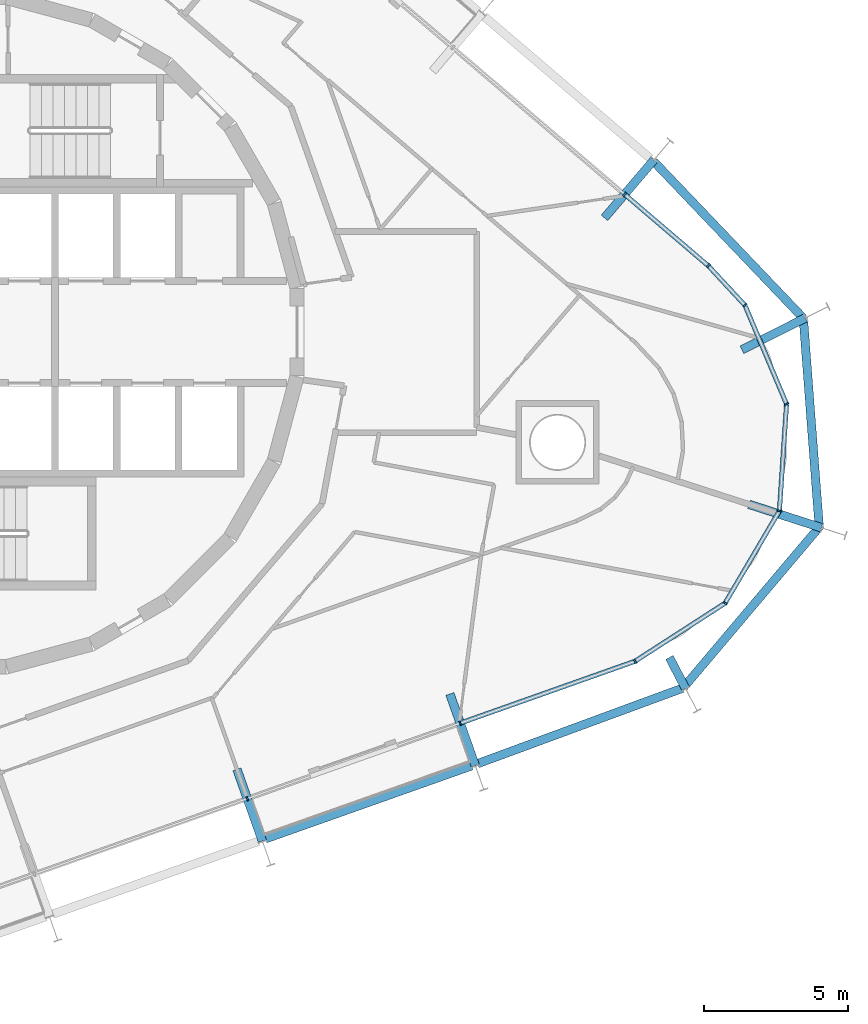
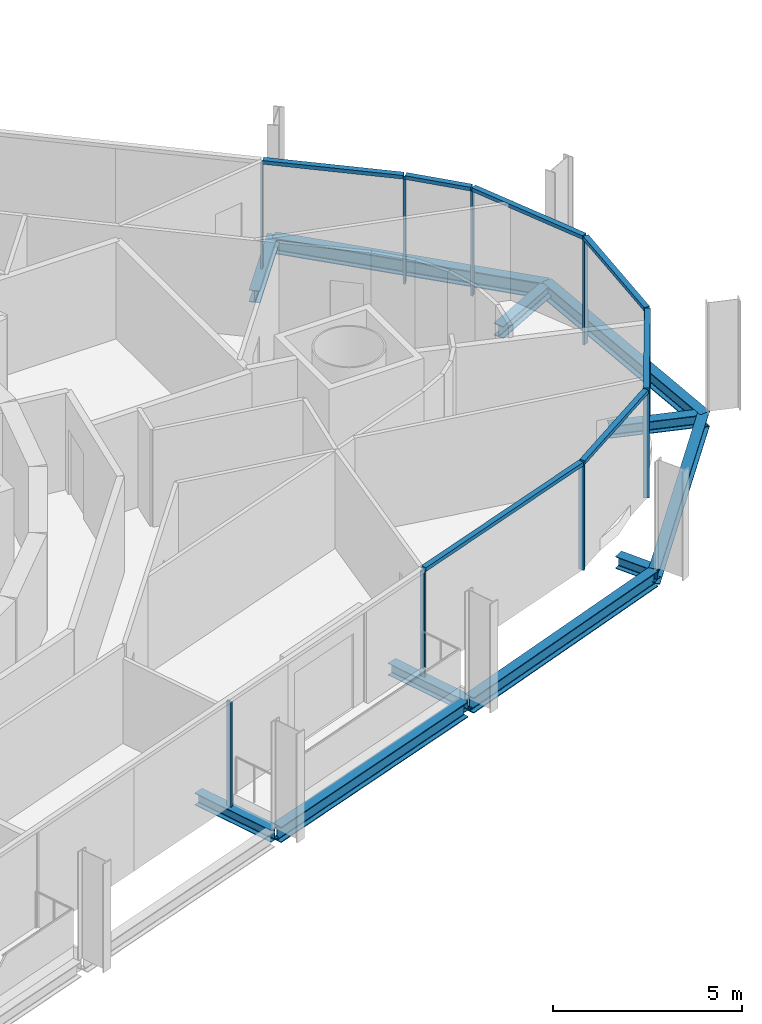
# One storey, part 5 of 17: 16 members, 11 beams, 3 elements without a shape of their own.
"""IFC4 building model written with IfcOpenShell, lengths in metres."""

from ifc_helpers import new_model, si_unit, direction, frame, origin, origin_2d, place, context, subcontext, project, spatial, rectangle, i_section, extrude, material, layer, layer_set, material_profile, profile_set, type_object, element, aggregate, save


model = new_model("IFC4")

# Units and contexts
model_context = context("Model", 3, precision=1e-05, world=origin(), true_north=direction((0.0, 1.0)))
body_context = subcontext(model_context, "Body", "Model", "MODEL_VIEW")
ifc_project = project(units=[si_unit("LENGTHUNIT", "METRE"), si_unit("AREAUNIT", "SQUARE_METRE"), si_unit("VOLUMEUNIT", "CUBIC_METRE"), si_unit("PLANEANGLEUNIT", "RADIAN"), si_unit("MASSUNIT", "GRAM", prefix="KILO")], contexts=[model_context])

# Site, building, storey
site_placement = place(None, origin())
site = spatial("IfcSite", under=ifc_project, at=site_placement, CompositionType="ELEMENT")
building_placement = place(site_placement, origin())
building = spatial("IfcBuilding", under=site, at=building_placement, Name="Spindle Arch Residences", CompositionType="ELEMENT")
storey_placement = place(building_placement, frame((0.0, 0.0, 172.699951171875)))
storey = spatial("IfcBuildingStorey", under=building, at=storey_placement, Name="L43", CompositionType="ELEMENT", Elevation=172.699951171875)

# Curtain wall, members
ifc_material_1 = material(Name="Aluminium bronze unitised frame with tinted glass", Category="aluminium")
ifc_layer_1 = layer(ifc_material_1, 0.159912109375)
ifc_layer_set_1 = layer_set([ifc_layer_1], Name="CW-D corner wall on the fillet arcs")
curtain_wall_type_1 = type_object("IfcCurtainWallType", Name="CW-D corner wall on the fillet arcs", PredefinedType="NOTDEFINED", material=ifc_layer_set_1)
curtain_wall_1_placement = place(storey_placement, origin())
curtain_wall_1 = element("IfcCurtainWall", 1, at=curtain_wall_1_placement, inside=storey, type_object=curtain_wall_type_1, Name="CW-D L43 run 1", PredefinedType="NOTDEFINED")
ifc_material_2 = material(Name="Aluminium bronze anodised mullion", Category="aluminium")
ifc_material_profile_1 = material_profile(ifc_material_2, rectangle(XDim=0.159912109375, YDim=0.06005859375, at=origin_2d()), Name="MU 60x160")
ifc_profile_set_1 = profile_set([ifc_material_profile_1], Name="Aluminium bronze anodised mullion")
member_type_1 = type_object("IfcMemberType", Name="Bronze mullion 60x160", PredefinedType="MULLION", material=ifc_profile_set_1)
member_1_placement = place(storey_placement, frame((17.326904296875, -13.609619140625, -0.3798828125), z_axis=(0.0, 0.0, 1.0), x_axis=(-0.333806859234, 0.942641491092, 0.0)))
member_1 = element("IfcMember", 2, at=member_1_placement, type_object=member_type_1, Name="CW-D mullion 00", PredefinedType="MULLION", context=body_context, shape_type="SweptSolid", body=[
    extrude(rectangle(XDim=0.159912109375, YDim=0.06005859375, at=origin_2d()), origin(), (0.0, 0.0, 1.0), 3.3798828125),
])
member_2_placement = place(storey_placement, frame((23.410400390625, -11.45556640625, -0.3798828125), z_axis=(0.0, 0.0, 1.0), x_axis=(-0.542197137778, 0.840251309898, 0.0)))
member_2 = element("IfcMember", 3, at=member_2_placement, type_object=member_type_1, Name="CW-D mullion 01", PredefinedType="MULLION", context=body_context, shape_type="SweptSolid", body=[
    extrude(rectangle(XDim=0.159912109375, YDim=0.06005859375, at=origin_2d()), origin(), (0.0, 0.0, 1.0), 3.3798828125),
])
member_3_placement = place(storey_placement, frame((26.541748046875, -9.434814453125, -0.3798828125), z_axis=(0.0, 0.0, 1.0), x_axis=(-0.86162915882, 0.507538365713, 0.0)))
member_3 = element("IfcMember", 4, at=member_3_placement, type_object=member_type_1, Name="CW-D mullion 02", PredefinedType="MULLION", context=body_context, shape_type="SweptSolid", body=[
    extrude(rectangle(XDim=0.159912109375, YDim=0.06005859375, at=origin_2d()), origin(), (0.0, 0.0, 1.0), 3.3798828125),
])
member_4_placement = place(storey_placement, frame((28.43310546875, -6.223876953125, -0.3798828125), z_axis=(0.0, 0.0, 1.0), x_axis=(-0.997762742461, 0.066854392204, 0.0)))
member_4 = element("IfcMember", 5, at=member_4_placement, type_object=member_type_1, Name="CW-D mullion 03", PredefinedType="MULLION", context=body_context, shape_type="SweptSolid", body=[
    extrude(rectangle(XDim=0.159912109375, YDim=0.06005859375, at=origin_2d()), origin(), (0.0, 0.0, 1.0), 3.3798828125),
])
member_5_placement = place(storey_placement, frame((28.682373046875, -2.50537109375, -0.3798828125), z_axis=(0.0, 0.0, 1.0), x_axis=(-0.921637549195, -0.388051836633, 0.0)))
member_5 = element("IfcMember", 6, at=member_5_placement, type_object=member_type_1, Name="CW-D mullion 04", PredefinedType="MULLION", context=body_context, shape_type="SweptSolid", body=[
    extrude(rectangle(XDim=0.159912109375, YDim=0.06005859375, at=origin_2d()), origin(), (0.0, 0.0, 1.0), 3.3798828125),
])
member_6_placement = place(storey_placement, frame((27.236083984375, 0.929443359375, -0.3798828125), z_axis=(0.0, 0.0, 1.0), x_axis=(-0.733334455983, -0.679868057543, 0.0)))
member_6 = element("IfcMember", 7, at=member_6_placement, type_object=member_type_1, Name="CW-D mullion 05", PredefinedType="MULLION", context=body_context, shape_type="SweptSolid", body=[
    extrude(rectangle(XDim=0.159912109375, YDim=0.06005859375, at=origin_2d()), origin(), (0.0, 0.0, 1.0), 3.3798828125),
])
member_7_placement = place(storey_placement, frame((25.960693359375, 2.30517578125, -0.3798828125), z_axis=(0.0, 0.0, 1.0), x_axis=(-0.64944804833, -0.7604059656, 0.0)))
member_7 = element("IfcMember", 8, at=member_7_placement, type_object=member_type_1, Name="CW-D mullion 06", PredefinedType="MULLION", context=body_context, shape_type="SweptSolid", body=[
    extrude(rectangle(XDim=0.159912109375, YDim=0.06005859375, at=origin_2d()), origin(), (0.0, 0.0, 1.0), 3.3798828125),
])

# Curtain wall, member
ifc_material_3 = material(Name="Aluminium bronze unitised frame with tinted glass", Category="aluminium")
ifc_layer_2 = layer(ifc_material_3, 0.159912109375)
ifc_layer_set_2 = layer_set([ifc_layer_2], Name="CW-C typical residential unitised wall")
curtain_wall_type_2 = type_object("IfcCurtainWallType", Name="CW-C typical residential unitised wall", PredefinedType="NOTDEFINED", material=ifc_layer_set_2)
curtain_wall_2_placement = place(storey_placement, origin())
curtain_wall_2 = element("IfcCurtainWall", 9, at=curtain_wall_2_placement, inside=storey, type_object=curtain_wall_type_2, Name="CW-C L43 run 2", PredefinedType="NOTDEFINED")
member_8_placement = place(storey_placement, frame((23.045654296875, 4.794677734375, -0.3798828125), z_axis=(0.0, 0.0, 1.0), x_axis=(-0.64944804833, -0.7604059656, 0.0)))
member_8 = element("IfcMember", 10, at=member_8_placement, type_object=member_type_1, Name="CW-C mullion 05", PredefinedType="MULLION", context=body_context, shape_type="SweptSolid", body=[
    extrude(rectangle(XDim=0.159912109375, YDim=0.06005859375, at=origin_2d()), origin(), (0.0, 0.0, 1.0), 3.3798828125),
])
aggregate(curtain_wall_2, [member_8])

curtain_wall_3_placement = place(storey_placement, origin())
curtain_wall_3 = element("IfcCurtainWall", 11, at=curtain_wall_3_placement, inside=storey, type_object=curtain_wall_type_2, Name="CW-C L43 run 6", PredefinedType="NOTDEFINED")
member_9_placement = place(storey_placement, frame((9.917724609375, -16.2333984375, -0.3798828125), z_axis=(0.0, 0.0, 1.0), x_axis=(-0.333806859234, 0.942641491092, 0.0)))
member_9 = element("IfcMember", 12, at=member_9_placement, type_object=member_type_1, Name="CW-C mullion 00", PredefinedType="MULLION", context=body_context, shape_type="SweptSolid", body=[
    extrude(rectangle(XDim=0.159912109375, YDim=0.06005859375, at=origin_2d()), origin(), (0.0, 0.0, 1.0), 3.3798828125),
])
aggregate(curtain_wall_3, [member_9])

# Member
ifc_material_4 = material(Name="Aluminium bronze anodised transom", Category="aluminium")
ifc_material_profile_2 = material_profile(ifc_material_4, rectangle(XDim=0.159912109375, YDim=0.1201171875, at=origin_2d()), Name="TR 120x160")
ifc_profile_set_2 = profile_set([ifc_material_profile_2], Name="Aluminium bronze anodised transom")
member_type_2 = type_object("IfcMemberType", Name="Bronze transom 120x160", PredefinedType="USERDEFINED", material=ifc_profile_set_2)
member_10_placement = place(storey_placement, frame((17.355224609375, -13.599609375, 3.06005859375), z_axis=(0.94265075566, 0.333780695748, 0.0), x_axis=(-0.333780695748, 0.94265075566, 0.0)))
member_10 = element("IfcMember", 13, at=member_10_placement, type_object=member_type_2, Name="CW-D transom 00", ObjectType="TRANSOM", PredefinedType="USERDEFINED", context=body_context, shape_type="SweptSolid", body=[
    extrude(rectangle(XDim=0.159912109375, YDim=0.1201171875, at=origin_2d()), origin(), (0.0, 0.0, 1.0), 6.3935546875),
])

member_11_placement = place(storey_placement, frame((23.435546875, -11.439208984375, 3.06005859375), z_axis=(0.840264358641, 0.542176915405, 0.0), x_axis=(-0.542176915405, 0.840264358641, 0.0)))
member_11 = element("IfcMember", 14, at=member_11_placement, type_object=member_type_2, Name="CW-D transom 01", ObjectType="TRANSOM", PredefinedType="USERDEFINED", context=body_context, shape_type="SweptSolid", body=[
    extrude(rectangle(XDim=0.159912109375, YDim=0.1201171875, at=origin_2d()), origin(), (0.0, 0.0, 1.0), 3.666748046875),
])

member_12_placement = place(storey_placement, frame((26.556884765625, -9.408935546875, 3.06005859375), z_axis=(0.507546689055, 0.861624255943, 0.0), x_axis=(-0.861624255943, 0.507546689055, 0.0)))
member_12 = element("IfcMember", 15, at=member_12_placement, type_object=member_type_2, Name="CW-D transom 02", ObjectType="TRANSOM", PredefinedType="USERDEFINED", context=body_context, shape_type="SweptSolid", body=[
    extrude(rectangle(XDim=0.159912109375, YDim=0.1201171875, at=origin_2d()), origin(), (0.0, 0.0, 1.0), 3.666748046875),
])

member_13_placement = place(storey_placement, frame((28.43505859375, -6.19384765625, 3.06005859375), z_axis=(0.066916740455, 0.997758562903, 0.0), x_axis=(-0.997758562903, 0.066916740455, 0.0)))
member_13 = element("IfcMember", 16, at=member_13_placement, type_object=member_type_2, Name="CW-D transom 03", ObjectType="TRANSOM", PredefinedType="USERDEFINED", context=body_context, shape_type="SweptSolid", body=[
    extrude(rectangle(XDim=0.159912109375, YDim=0.1201171875, at=origin_2d()), origin(), (0.0, 0.0, 1.0), 3.666748046875),
])

member_14_placement = place(storey_placement, frame((28.670654296875, -2.477783203125, 3.06005859375), z_axis=(-0.388045093438, 0.921640388361, 0.0), x_axis=(-0.921640388361, -0.388045093438, 0.0)))
member_14 = element("IfcMember", 17, at=member_14_placement, type_object=member_type_2, Name="CW-D transom 04", ObjectType="TRANSOM", PredefinedType="USERDEFINED", context=body_context, shape_type="SweptSolid", body=[
    extrude(rectangle(XDim=0.159912109375, YDim=0.1201171875, at=origin_2d()), origin(), (0.0, 0.0, 1.0), 3.666748046875),
])

member_15_placement = place(storey_placement, frame((27.2158203125, 0.951416015625, 3.06005859375), z_axis=(-0.679919851258, 0.733286435075, 0.0), x_axis=(-0.733286435075, -0.679919851258, 0.0)))
member_15 = element("IfcMember", 18, at=member_15_placement, type_object=member_type_2, Name="CW-D transom 05", ObjectType="TRANSOM", PredefinedType="USERDEFINED", context=body_context, shape_type="SweptSolid", body=[
    extrude(rectangle(XDim=0.159912109375, YDim=0.1201171875, at=origin_2d()), origin(), (0.0, 0.0, 1.0), 1.816162109375),
])

member_16_placement = place(storey_placement, frame((25.937744140625, 2.32470703125, 3.06005859375), z_axis=(-0.76037900371, 0.64947961532, 0.0), x_axis=(-0.64947961532, -0.76037900371, 0.0)))
member_16 = element("IfcMember", 19, at=member_16_placement, type_object=member_type_2, Name="CW-D transom 06", ObjectType="TRANSOM", PredefinedType="USERDEFINED", context=body_context, shape_type="SweptSolid", body=[
    extrude(rectangle(XDim=0.159912109375, YDim=0.1201171875, at=origin_2d()), origin(), (0.0, 0.0, 1.0), 3.773193359375),
])

aggregate(curtain_wall_1, [member_1, member_10, member_2, member_11, member_3, member_12, member_4, member_13, member_5, member_14, member_6, member_15, member_7, member_16])

# Beams
ifc_material_5 = material(Name="Steel S460ML, intumescent coating R 120", Category="steel")
ifc_material_profile_3 = material_profile(ifc_material_5, i_section(OverallWidth=0.300048828125, OverallDepth=0.5, WebThickness=0.014404296875, FlangeThickness=0.028076171875, FilletRadius=0.027099609375, at=origin_2d()), Name="HEB 500")
ifc_profile_set_3 = profile_set([ifc_material_profile_3], Name="Steel S460ML, intumescent coating R 120")
beam_type_1 = type_object("IfcBeamType", Name="Exoskeleton edge beam HEB 500", PredefinedType="BEAM", material=ifc_profile_set_3)
beam_1_placement = place(storey_placement, frame((10.551025390625, -17.63232421875, -0.6298828125), z_axis=(0.942633964352, 0.33382811333, 0.0), x_axis=(-0.33382811333, 0.942633964352, 0.0)))
element("IfcBeam", 20, at=beam_1_placement, inside=storey, type_object=beam_type_1, Name="Exoskeleton edge beam 1", PredefinedType="BEAM", context=body_context, shape_type="SweptSolid", body=[
    extrude(i_section(OverallWidth=0.300048828125, OverallDepth=0.5, WebThickness=0.014404296875, FlangeThickness=0.028076171875, FilletRadius=0.027099609375, at=origin_2d()), origin(), (0.0, 0.0, 1.0), 7.60009765625),
])
beam_2_placement = place(storey_placement, frame((17.927978515625, -15.01953125, -0.6298828125), z_axis=(0.938417721989, 0.345502791677, 0.0), x_axis=(-0.345502791677, 0.938417721989, 0.0)))
element("IfcBeam", 21, at=beam_2_placement, inside=storey, type_object=beam_type_1, Name="Exoskeleton edge beam 2", PredefinedType="BEAM", context=body_context, shape_type="SweptSolid", body=[
    extrude(i_section(OverallWidth=0.300048828125, OverallDepth=0.5, WebThickness=0.014404296875, FlangeThickness=0.028076171875, FilletRadius=0.027099609375, at=origin_2d()), origin(), (0.0, 0.0, 1.0), 7.59619140625),
])
for number, where, z_axis, x_axis, name in (
    (22, (25.08349609375, -12.3837890625, -0.6298828125), (0.645788487343, 0.763516358446, 0.0), (-0.763516358446, 0.645788487343, 0.0), "Exoskeleton edge beam 3"),
    (23, (29.823974609375, -6.856201171875, -0.6298828125), (-0.076078644635, 0.997101820192, 0.0), (-0.997101820192, -0.076078644635, 0.0), "Exoskeleton edge beam 4"),
):
    element("IfcBeam", number, at=place(storey_placement, frame(where, z_axis=z_axis, x_axis=x_axis)), inside=storey, type_object=beam_type_1, Name=name, PredefinedType="BEAM", context=body_context, shape_type="SweptSolid", body=[
        extrude(i_section(OverallWidth=0.300048828125, OverallDepth=0.5, WebThickness=0.014404296875, FlangeThickness=0.028076171875, FilletRadius=0.027099609375, at=origin_2d()), origin(), (0.0, 0.0, 1.0), 7.4033203125),
    ])
beam_3_placement = place(storey_placement, frame((29.263916015625, 0.484375, -0.6298828125), z_axis=(-0.690454167384, 0.72337614195, 0.0), x_axis=(-0.72337614195, -0.690454167384, 0.0)))
element("IfcBeam", 24, at=beam_3_placement, inside=storey, type_object=beam_type_1, Name="Exoskeleton edge beam 5", PredefinedType="BEAM", context=body_context, shape_type="SweptSolid", body=[
    extrude(i_section(OverallWidth=0.300048828125, OverallDepth=0.5, WebThickness=0.014404296875, FlangeThickness=0.028076171875, FilletRadius=0.027099609375, at=origin_2d()), origin(), (0.0, 0.0, 1.0), 7.534423828125),
])
ifc_material_6 = material(Name="Steel S460ML, intumescent coating R 120", Category="steel")
ifc_material_profile_4 = material_profile(ifc_material_6, i_section(OverallWidth=0.300048828125, OverallDepth=0.389892578125, WebThickness=0.010986328125, FlangeThickness=0.01904296875, FilletRadius=0.027099609375, at=origin_2d()), Name="HEA 400")
ifc_profile_set_4 = profile_set([ifc_material_profile_4], Name="Steel S460ML, intumescent coating R 120")
beam_type_2 = type_object("IfcBeamType", Name="Floor outrigger HEA 400", PredefinedType="BEAM", material=ifc_profile_set_4)
beam_4_placement = place(storey_placement, frame((10.44189453125, -17.71337890625, -0.574951171875), z_axis=(-0.333860785086, 0.942622393211, 0.0), x_axis=(-0.942622393211, -0.333860785086, 0.0)))
element("IfcBeam", 25, at=beam_4_placement, inside=storey, type_object=beam_type_2, Name="Floor outrigger 1", PredefinedType="BEAM", context=body_context, shape_type="SweptSolid", body=[
    extrude(i_section(OverallWidth=0.300048828125, OverallDepth=0.389892578125, WebThickness=0.010986328125, FlangeThickness=0.01904296875, FilletRadius=0.027099609375, at=origin_2d()), origin(), (0.0, 0.0, 1.0), 2.650146484375),
])
beam_5_placement = place(storey_placement, frame((17.85107421875, -15.089599609375, -0.574951171875), z_axis=(-0.333778924893, 0.942651382695, 0.0), x_axis=(-0.942651382695, -0.333778924893, 0.0)))
element("IfcBeam", 26, at=beam_5_placement, inside=storey, type_object=beam_type_2, Name="Floor outrigger 2", PredefinedType="BEAM", context=body_context, shape_type="SweptSolid", body=[
    extrude(i_section(OverallWidth=0.300048828125, OverallDepth=0.389892578125, WebThickness=0.010986328125, FlangeThickness=0.01904296875, FilletRadius=0.027099609375, at=origin_2d()), origin(), (0.0, 0.0, 1.0), 2.64990234375),
])
beam_6_placement = place(storey_placement, frame((25.166015625, -12.400146484375, -0.574951171875), z_axis=(-0.461536115739, 0.887121420026, 0.0), x_axis=(-0.887121420026, -0.461536115739, 0.0)))
element("IfcBeam", 27, at=beam_6_placement, inside=storey, type_object=beam_type_2, Name="Floor outrigger 3", PredefinedType="BEAM", context=body_context, shape_type="SweptSolid", body=[
    extrude(i_section(OverallWidth=0.300048828125, OverallDepth=0.389892578125, WebThickness=0.010986328125, FlangeThickness=0.01904296875, FilletRadius=0.027099609375, at=origin_2d()), origin(), (0.0, 0.0, 1.0), 1.215576171875),
])
beam_7_placement = place(storey_placement, frame((29.894287109375, -6.81005859375, -0.574951171875), z_axis=(-0.951419914018, 0.307896325424, 0.0), x_axis=(-0.307896325424, -0.951419914018, 0.0)))
element("IfcBeam", 28, at=beam_7_placement, inside=storey, type_object=beam_type_2, Name="Floor outrigger 4", PredefinedType="BEAM", context=body_context, shape_type="SweptSolid", body=[
    extrude(i_section(OverallWidth=0.300048828125, OverallDepth=0.389892578125, WebThickness=0.010986328125, FlangeThickness=0.01904296875, FilletRadius=0.027099609375, at=origin_2d()), origin(), (0.0, 0.0, 1.0), 2.64990234375),
])
beam_8_placement = place(storey_placement, frame((29.33740234375, 0.490478515625, -0.574951171875), z_axis=(-0.8937538876, -0.448557675668, 0.0), x_axis=(0.448557675668, -0.8937538876, 0.0)))
element("IfcBeam", 29, at=beam_8_placement, inside=storey, type_object=beam_type_2, Name="Floor outrigger 5", PredefinedType="BEAM", context=body_context, shape_type="SweptSolid", body=[
    extrude(i_section(OverallWidth=0.300048828125, OverallDepth=0.389892578125, WebThickness=0.010986328125, FlangeThickness=0.01904296875, FilletRadius=0.027099609375, at=origin_2d()), origin(), (0.0, 0.0, 1.0), 2.469482421875),
])
beam_9_placement = place(storey_placement, frame((24.065185546875, 5.988525390625, -0.574951171875), z_axis=(-0.64941704551, -0.760432443417, 0.0), x_axis=(0.760432443417, -0.64941704551, 0.0)))
element("IfcBeam", 30, at=beam_9_placement, inside=storey, type_object=beam_type_2, Name="Floor outrigger 6", PredefinedType="BEAM", context=body_context, shape_type="SweptSolid", body=[
    extrude(i_section(OverallWidth=0.300048828125, OverallDepth=0.389892578125, WebThickness=0.010986328125, FlangeThickness=0.01904296875, FilletRadius=0.027099609375, at=origin_2d()), origin(), (0.0, 0.0, 1.0), 2.64990234375),
])

save(model, "model.ifc")
